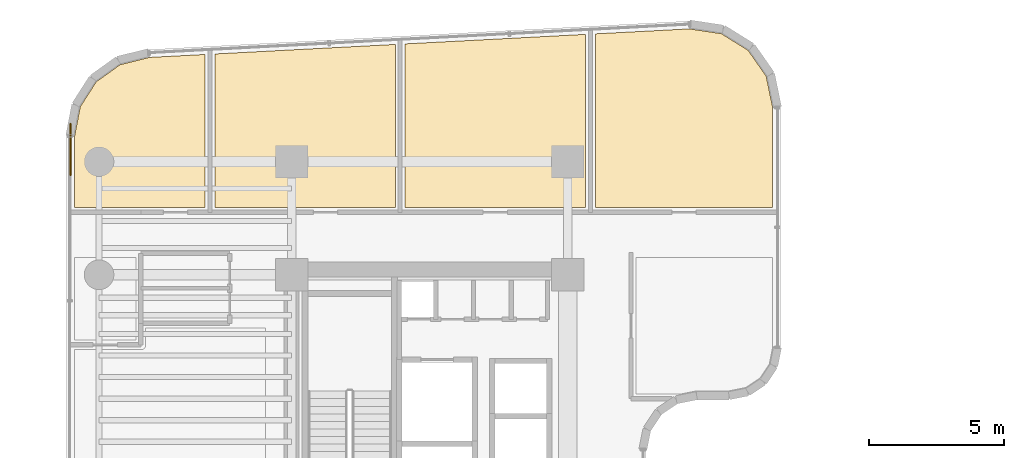
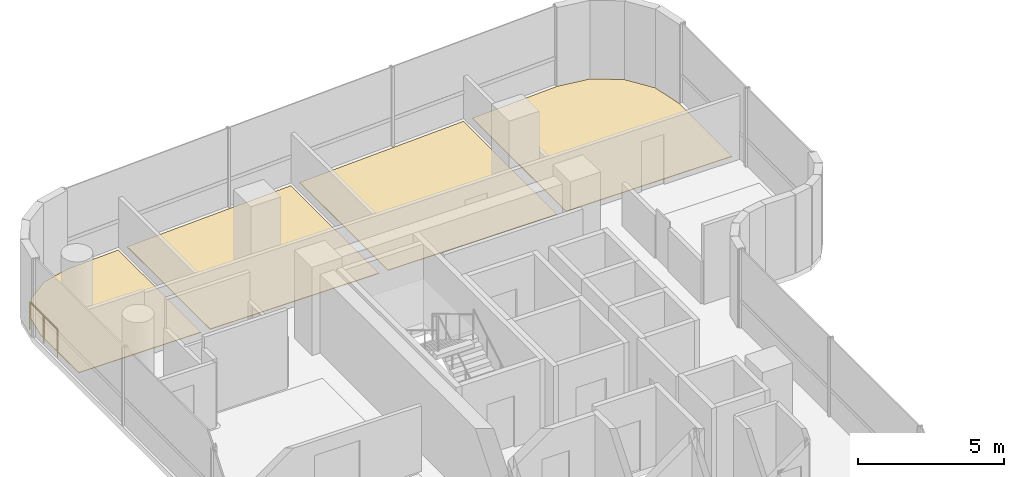
# One storey, part 35 of 35: 4 coverings, 1 railing.
"""IFC4 building model written with IfcOpenShell, lengths in metres."""

from ifc_helpers import new_model, si_unit, direction, frame, origin, origin_2d, place, context, subcontext, project, spatial, polyline, circle, outline, extrude, material, layer, layer_set, type_object, element, save


model = new_model("IFC4")

# Units and contexts
model_context = context("Model", 3, precision=1e-05, world=origin(), true_north=direction((0.0, 1.0)))
body_context = subcontext(model_context, "Body", "Model", "MODEL_VIEW")
ifc_project = project(units=[si_unit("LENGTHUNIT", "METRE"), si_unit("AREAUNIT", "SQUARE_METRE"), si_unit("VOLUMEUNIT", "CUBIC_METRE"), si_unit("PLANEANGLEUNIT", "RADIAN"), si_unit("MASSUNIT", "GRAM", prefix="KILO")], contexts=[model_context])

# Site, building, storey
site_placement = place(None, origin())
site = spatial("IfcSite", under=ifc_project, at=site_placement, CompositionType="ELEMENT")
building_placement = place(site_placement, origin())
building = spatial("IfcBuilding", under=site, at=building_placement, Name="Valdorenza Pilgrim Sanctuary Tower", CompositionType="ELEMENT")
storey_placement = place(building_placement, frame((0.0, 0.0, 168.60009765625)))
storey = spatial("IfcBuildingStorey", under=building, at=storey_placement, Name="L43", CompositionType="ELEMENT", Elevation=168.60009765625)

# Coverings
ifc_material_1 = material(Name="Honed travertine stone flooring", Category="masonry")
ifc_layer = layer(ifc_material_1, 0.030029296875, Name="Honed travertine stone flooring")
ifc_layer_set = layer_set([ifc_layer], Name="Honed travertine stone flooring")
covering_type = type_object("IfcCoveringType", Name="COV-FLR-TRV", PredefinedType="FLOORING", material=ifc_layer_set)
covering_1_placement = place(storey_placement, origin())
element("IfcCovering", 1, at=covering_1_placement, inside=storey, type_object=covering_type, Name="L43 Sanctuary Administration Office L43-N1 Flooring", PredefinedType="FLOORING", context=body_context, shape_type="SweptSolid", body=[
    extrude(outline(polyline([(-30.7099609375, 13.10009765625), (-30.7099609375, 15.737060546875), (-30.498046875, 16.8408203125), (-29.907470703125, 17.763671875), (-29.016845703125, 18.402099609375), (-27.92578125, 18.672119140625), (-25.860107421875, 18.781005859375), (-25.860107421875, 13.10009765625), (-30.7099609375, 13.10009765625)])), origin(), (0.0, 0.0, 1.0), 0.02490234375),
])
covering_2_placement = place(storey_placement, origin())
element("IfcCovering", 2, at=covering_2_placement, inside=storey, type_object=covering_type, Name="L43 Sanctuary Administration Office L43-N2 Flooring", PredefinedType="FLOORING", context=body_context, shape_type="SweptSolid", body=[
    extrude(outline(polyline([(-25.498046875, 13.10009765625), (-25.498046875, 18.800048828125), (-18.800048828125, 19.154052734375), (-18.800048828125, 13.10009765625), (-25.498046875, 13.10009765625)])), origin(), (0.0, 0.0, 1.0), 0.02490234375),
])
covering_3_placement = place(storey_placement, origin())
element("IfcCovering", 3, at=covering_3_placement, inside=storey, type_object=covering_type, Name="L43 Sanctuary Administration Office L43-N3 Flooring", PredefinedType="FLOORING", context=body_context, shape_type="SweptSolid", body=[
    extrude(outline(polyline([(-18.43798828125, 13.10009765625), (-18.43798828125, 19.173095703125), (-11.739990234375, 19.527099609375), (-11.739990234375, 13.10009765625), (-18.43798828125, 13.10009765625)])), origin(), (0.0, 0.0, 1.0), 0.02490234375),
])
covering_4_placement = place(storey_placement, origin())
element("IfcCovering", 4, at=covering_4_placement, inside=storey, type_object=covering_type, Name="L43 Sanctuary Administration Office L43-N4 Flooring", PredefinedType="FLOORING", context=body_context, shape_type="SweptSolid", body=[
    extrude(outline(polyline([(-7.883056640625, 19.730712890625), (-6.69580078125, 19.55126953125), (-5.70166015625, 18.933349609375), (-5.031982421875, 17.97314453125), (-4.7900390625, 16.797119140625), (-4.7900390625, 13.10009765625), (-11.3779296875, 13.10009765625), (-11.3779296875, 19.546142578125), (-7.883056640625, 19.730712890625)])), origin(), (0.0, 0.0, 1.0), 0.02490234375),
])

# Railing
ifc_material_2 = material(Name="Stainless steel Grade 316", Category="steel")
railing_type = type_object("IfcRailingType", Name="RLG-GRD-1120", PredefinedType="GUARDRAIL", material=ifc_material_2)
railing_placement = place(storey_placement, frame((-30.860107421875, 14.300048828125, 0.0)))
element("IfcRailing", 5, at=railing_placement, inside=storey, type_object=railing_type, Name="L43 NW Tangent Safety Sill Guard", PredefinedType="GUARDRAIL", context=body_context, shape_type="SweptSolid", body=[
    extrude(circle(Radius=0.02392578125, at=origin_2d()), frame((0.0, 0.0, 1.17578125), z_axis=(0.0, 1.0, 0.0), x_axis=(-1.0, 0.0, 0.0)), (0.0, 0.0, 1.0), 1.89990234375),
    extrude(circle(Radius=0.02099609375, at=origin_2d()), origin(), (0.0, 0.0, 1.0), 1.15185546875),
    extrude(circle(Radius=0.02099609375, at=origin_2d()), frame((0.0, 0.949951171875, 0.0)), (0.0, 0.0, 1.0), 1.15185546875),
    extrude(circle(Radius=0.02099609375, at=origin_2d()), frame((0.0, 1.89990234375, 0.0)), (0.0, 0.0, 1.0), 1.15185546875),
])

save(model, "model.ifc")
